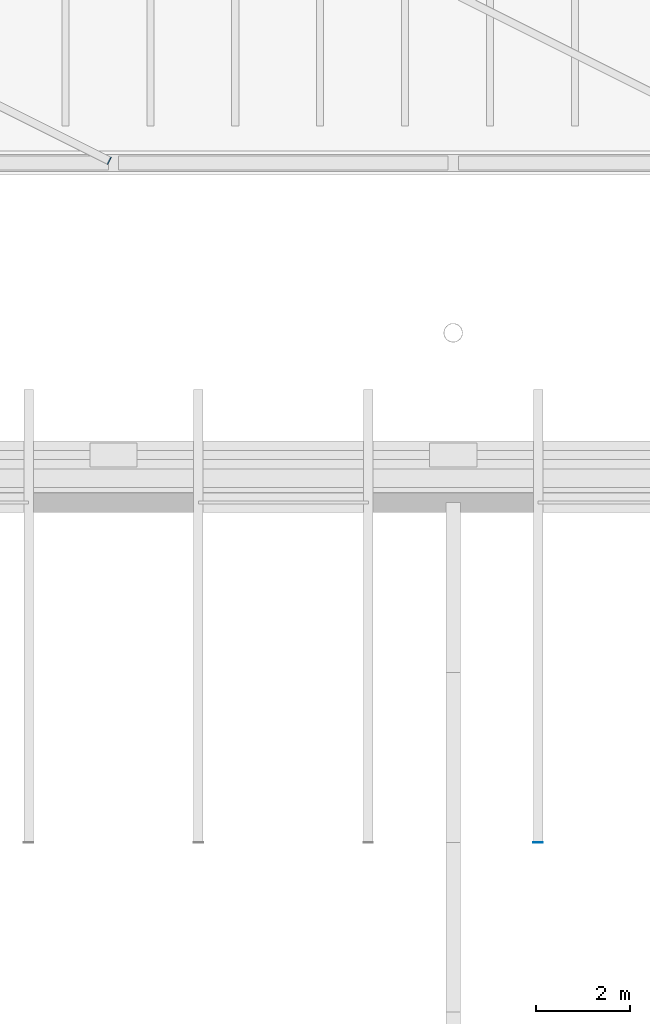
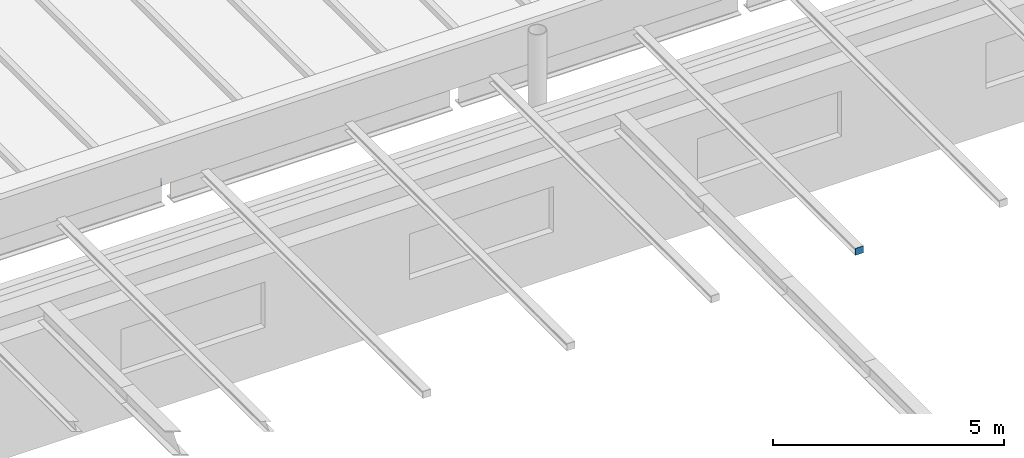
# One storey, part 66 of 110: 2 discrete accessories.
"""IFC4 building model written with IfcOpenShell, lengths in metres."""

import ifcopenshell
import ifcopenshell.guid

model = None  # the IFC model being written
_history = None  # IfcOwnerHistory: only IFC2X3 demands one
_inside = {}  # id of a spatial element -> (the spatial element, [elements in it])
_under = {}  # id of a project, library or spatial element -> (it, [spatial elements below it])
_declared = {}  # id of a project -> (the project, [libraries it declares])
_typed = {}  # id of a type object -> (the type object, [elements of that type])
_made_of = {}  # id of a material, layer set ... -> (it, [elements and type objects made of it])


def new_model(schema):
    """Start an empty IFC model of exactly this schema.

    Asked for "IFC4X3", IfcOpenShell would pick the latest addendum, in which some entities
    have other attributes; the version numbers below select the first issue.
    IFC2X3 requires an IfcOwnerHistory on every rooted entity: one is made here for all.
    """
    global model, _history
    if schema == "IFC4X3":
        model = ifcopenshell.file(schema_version=(4, 3, 0, 0))
    else:
        model = ifcopenshell.file(schema=schema)
    _inside.clear()
    _under.clear()
    _declared.clear()
    _typed.clear()
    _made_of.clear()
    _history = None
    if model.schema == "IFC2X3":
        org = make("IfcOrganization", Name="unknown")
        user = make(
            "IfcPersonAndOrganization",
            ThePerson=make("IfcPerson", FamilyName="unknown"),
            TheOrganization=org,
        )
        app = make(
            "IfcApplication",
            ApplicationDeveloper=org,
            Version="unknown",
            ApplicationFullName="unknown",
            ApplicationIdentifier="unknown",
        )
        _history = make(
            "IfcOwnerHistory",
            OwningUser=user,
            OwningApplication=app,
            ChangeAction="ADDED",
            CreationDate=0,
        )
    return model


def make(cls, **values):
    """One entity of the class cls with the attributes given. An attribute that is None is left unset."""
    return model.create_entity(
        cls, **{name: value for name, value in values.items() if value is not None}
    )


def rooted(cls, **values):
    """An entity with a GlobalId (a new one), such as an element, a storey or a relation."""
    return make(cls, GlobalId=ifcopenshell.guid.new(), OwnerHistory=_history, **values)


def si_unit(unit_type, name, prefix=None):
    """IfcSIUnit, for example si_unit("LENGTHUNIT", "METRE", prefix="MILLI")."""
    return make("IfcSIUnit", UnitType=unit_type, Prefix=prefix, Name=name)


def assignment(units):
    """IfcUnitAssignment: the units of a project."""
    return None if units is None else make("IfcUnitAssignment", Units=units)


def point(xyz):
    """IfcCartesianPoint."""
    return None if xyz is None else make("IfcCartesianPoint", Coordinates=xyz)


def direction(xyz):
    """IfcDirection."""
    return None if xyz is None else make("IfcDirection", DirectionRatios=xyz)


def frame(location, z_axis=None, x_axis=None):
    """IfcAxis2Placement3D, a coordinate frame: its origin and axes. An axis left out is left unset."""
    return make(
        "IfcAxis2Placement3D",
        Location=point(location),
        Axis=direction(z_axis),
        RefDirection=direction(x_axis),
    )


def frame_2d(location, x_axis=None):
    """IfcAxis2Placement2D, a coordinate frame in the plane: its origin and x axis."""
    return make(
        "IfcAxis2Placement2D", Location=point(location), RefDirection=direction(x_axis)
    )


def origin():
    """The frame at (0, 0, 0) with its axes left unset."""
    return frame((0.0, 0.0, 0.0))


def origin_2d():
    """The frame at (0, 0) in the plane with its x axis left unset."""
    return frame_2d((0.0, 0.0))


def place(relative_to, where):
    """IfcLocalPlacement: puts the frame where relative to a parent placement (None: the world)."""
    return make(
        "IfcLocalPlacement", PlacementRelTo=relative_to, RelativePlacement=where
    )


def context(
    kind, dimensions, precision=None, world=None, true_north=None, identifier=None
):
    """IfcGeometricRepresentationContext, for example the 3D "Model" context."""
    return make(
        "IfcGeometricRepresentationContext",
        ContextIdentifier=identifier,
        ContextType=kind,
        CoordinateSpaceDimension=dimensions,
        Precision=precision,
        WorldCoordinateSystem=world,
        TrueNorth=true_north,
    )


def subcontext(parent, identifier, kind, view, scale=None):
    """IfcGeometricRepresentationSubContext, for example "Body" below "Model"."""
    return make(
        "IfcGeometricRepresentationSubContext",
        ContextIdentifier=identifier,
        ContextType=kind,
        ParentContext=parent,
        TargetScale=scale,
        TargetView=view,
    )


def project(units=None, contexts=None):
    """IfcProject with its units and contexts."""
    return rooted(
        "IfcProject",
        Name="project",
        RepresentationContexts=contexts,
        UnitsInContext=assignment(units),
    )


def spatial(cls, under=None, at=None, **own):
    """A site, building, storey or space (cls), placed at a placement, below another one or the project."""
    s = rooted(cls, ObjectPlacement=at, **own)
    if under is not None:
        _under.setdefault(under.id(), (under, []))[1].append(s)
    return s


def profile(cls, at=None, kind="AREA", **sizes):
    """A parametric profile (cls). Its sizes go by their IFC names, for example OverallWidth=200.0."""
    return make(cls, ProfileType=kind, Position=at, **sizes)


def rectangle(**sizes):
    """IfcRectangleProfileDef."""
    return profile("IfcRectangleProfileDef", **sizes)


def circle(**sizes):
    """IfcCircleProfileDef."""
    return profile("IfcCircleProfileDef", **sizes)


def extrude(swept, where, along, depth):
    """IfcExtrudedAreaSolid: the profile swept, set in the frame where, extruded along a direction by depth."""
    return make(
        "IfcExtrudedAreaSolid",
        SweptArea=swept,
        Position=where,
        ExtrudedDirection=direction(along),
        Depth=depth,
    )


def shape(context_of_items, identifier, shape_type, items):
    """IfcShapeRepresentation: the items that make up one representation, for example the "Body"."""
    return make(
        "IfcShapeRepresentation",
        ContextOfItems=context_of_items,
        RepresentationIdentifier=identifier,
        RepresentationType=shape_type,
        Items=items,
    )


def material(Name=None, Category=None):
    """IfcMaterial."""
    return make("IfcMaterial", Name=Name, Category=Category)


def layer(
    of_material, thickness, ventilated=None, Name=None, Category=None, Priority=None
):
    """IfcMaterialLayer: one layer of a wall or slab, of a material (None: an air gap)."""
    return make(
        "IfcMaterialLayer",
        Material=of_material,
        LayerThickness=thickness,
        IsVentilated=ventilated,
        Name=Name,
        Category=Category,
        Priority=Priority,
    )


def layer_set(layers, Name=None):
    """IfcMaterialLayerSet."""
    return make("IfcMaterialLayerSet", MaterialLayers=layers, LayerSetName=Name)


def made_of(thing, what):
    """Note that an element or type object is made of a material, layer set ...; save() writes the relation."""
    if what is not None:
        _made_of.setdefault(what.id(), (what, []))[1].append(thing)
    return thing


def type_object(cls, material=None, **own):
    """A type object (cls), such as IfcWallType, which elements share."""
    return made_of(rooted(cls, **own), material)


def element(
    cls,
    number,
    at=None,
    inside=None,
    cuts=None,
    type_object=None,
    material=None,
    context=None,
    identifier="Body",
    shape_type=None,
    held_by="IfcProductDefinitionShape",
    body=None,
    shapes=None,
    **own,
):
    """One element of the class cls, such as IfcWall. Its Tag is "e" and its number.

    at: its placement. inside: the storey or other place that contains it. cuts: it is an
    opening in that element (IfcRelVoidsElement). A single representation is given by context,
    identifier, shape_type and body (its items); several are given by shapes. held_by: the class
    of the entity that holds the representations. save() writes the other relations.
    """
    e = rooted(cls, Tag="e%d" % number, ObjectPlacement=at, **own)
    if body is not None:
        shapes = [shape(context, identifier, shape_type, body)]
    if shapes is not None:
        e.Representation = make(held_by, Representations=shapes)
    if inside is not None:
        _inside.setdefault(inside.id(), (inside, []))[1].append(e)
    if cuts is not None:
        rooted(
            "IfcRelVoidsElement", RelatingBuildingElement=cuts, RelatedOpeningElement=e
        )
    if type_object is not None:
        _typed.setdefault(type_object.id(), (type_object, []))[1].append(e)
    return made_of(e, material)


def aggregate(whole, parts):
    """IfcRelAggregates: a whole, such as a stair, and the parts it consists of."""
    return rooted("IfcRelAggregates", RelatingObject=whole, RelatedObjects=parts)


def save(model, path):
    """Write the relations noted so far, then the file.

    IfcRelAggregates (storeys below a building ...), IfcRelContainedInSpatialStructure (elements
    in a storey), IfcRelDefinesByType, IfcRelAssociatesMaterial and IfcRelDeclares: one each for
    every whole, place, type object, material and project.
    """
    for whole, parts in _under.values():
        aggregate(whole, parts)
    for where, things in _inside.values():
        rooted(
            "IfcRelContainedInSpatialStructure",
            RelatedElements=things,
            RelatingStructure=where,
        )
    for kind, things in _typed.values():
        rooted("IfcRelDefinesByType", RelatedObjects=things, RelatingType=kind)
    for what, things in _made_of.values():
        rooted("IfcRelAssociatesMaterial", RelatedObjects=things, RelatingMaterial=what)
    for by, libraries in _declared.values():
        rooted("IfcRelDeclares", RelatingContext=by, RelatedDefinitions=libraries)
    model.write(path)


model = new_model("IFC4")

# Units and contexts
model_context = context("Model", 3, precision=1e-05, world=origin(), true_north=direction((0.0, 1.0)))
body_context = subcontext(model_context, "Body", "Model", "MODEL_VIEW")
ifc_project = project(units=[si_unit("LENGTHUNIT", "METRE"), si_unit("AREAUNIT", "SQUARE_METRE"), si_unit("VOLUMEUNIT", "CUBIC_METRE"), si_unit("PLANEANGLEUNIT", "RADIAN"), si_unit("MASSUNIT", "GRAM", prefix="KILO")], contexts=[model_context])

# Site, building, storey
site_placement = place(None, origin())
site = spatial("IfcSite", under=ifc_project, at=site_placement, CompositionType="ELEMENT")
building_placement = place(site_placement, origin())
building = spatial("IfcBuilding", under=site, at=building_placement, Name="Kupolbacken Congress Centre", CompositionType="ELEMENT")
storey_placement = place(building_placement, frame((0.0, 0.0, 18.0)))
storey = spatial("IfcBuildingStorey", under=building, at=storey_placement, Name="L05", CompositionType="ELEMENT", Elevation=18.0)

# Discrete accessories
ifc_material_1 = material(Name="Steel S355", Category="steel")
ifc_layer_1 = layer(ifc_material_1, 0.011962890625)
ifc_layer_set_1 = layer_set([ifc_layer_1], Name="Steel S355")
discrete_accessory_type_1 = type_object("IfcDiscreteAccessoryType", Name="BK3 bracket end plate 200 x 180 x 12", PredefinedType="BRACKET", material=ifc_layer_set_1)
discrete_accessory_1_placement = place(storey_placement, frame((167.39990234375, 107.993896484375, 3.60009765625), z_axis=(0.0, 0.0, 1.0), x_axis=(1.0, 0.0, 0.0)))
element("IfcDiscreteAccessory", 1, at=discrete_accessory_1_placement, inside=storey, type_object=discrete_accessory_type_1, Name="Eave bracket end plate N23", PredefinedType="BRACKET", context=body_context, shape_type="SweptSolid", body=[
    extrude(rectangle(XDim=0.199951171875, YDim=0.011962890625, at=origin_2d()), origin(), (0.0, 0.0, 1.0), 0.179931640625),
])
ifc_material_2 = material(Name="Steel S355", Category="steel")
ifc_layer_2 = layer(ifc_material_2, 0.011962890625)
ifc_layer_set_2 = layer_set([ifc_layer_2], Name="Steel S355")
discrete_accessory_type_2 = type_object("IfcDiscreteAccessoryType", Name="EC2 tube end cap plate 168 dia x 12", PredefinedType="BRACKET", material=ifc_layer_set_2)
discrete_accessory_2_placement = place(storey_placement, frame((158.301513671875, 122.44921875, -0.084228515625), z_axis=(0.894427191, -0.4472135955, 0.0), x_axis=(0.4472135955, 0.894427191, 0.0)))
element("IfcDiscreteAccessory", 2, at=discrete_accessory_2_placement, inside=storey, type_object=discrete_accessory_type_2, Name="End cap plate BR/RB/01-00 A", PredefinedType="BRACKET", context=body_context, shape_type="SweptSolid", body=[
    extrude(circle(Radius=0.084228515625, at=origin_2d()), origin(), (0.0, 0.0, 1.0), 0.011962890625),
])

save(model, "model.ifc")
